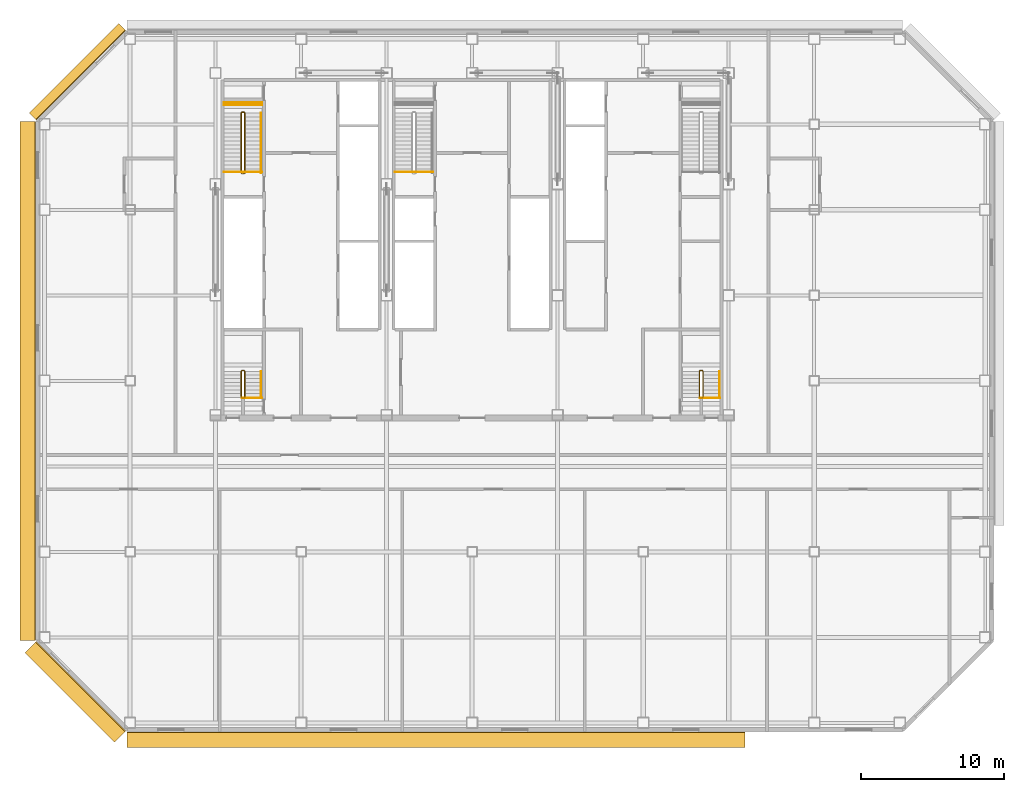
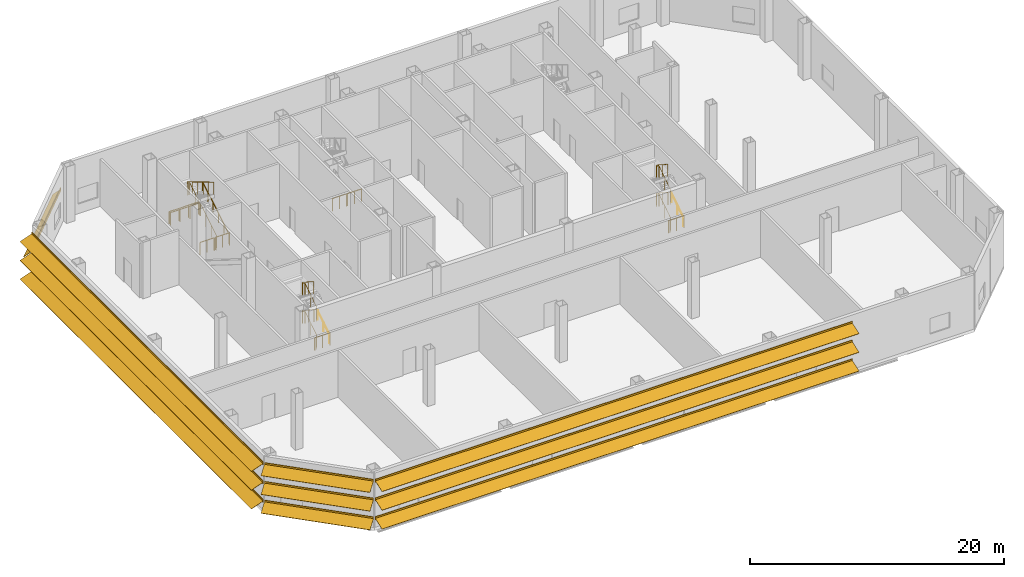
# One storey, part 9 of 10: 16 railings, 4 shading devices.
"""IFC4 building model written with IfcOpenShell, lengths in metres."""

from ifc_helpers import new_model, si_unit, direction, frame, origin, origin_2d, place, context, subcontext, project, spatial, polyline, circle, outline, composite_profile, extrude, material, type_object, element, save


model = new_model("IFC4")

# Units and contexts
model_context = context("Model", 3, precision=1e-05, world=origin(), true_north=direction((0.0, 1.0)))
body_context = subcontext(model_context, "Body", "Model", "MODEL_VIEW")
ifc_project = project(units=[si_unit("LENGTHUNIT", "METRE"), si_unit("AREAUNIT", "SQUARE_METRE"), si_unit("VOLUMEUNIT", "CUBIC_METRE"), si_unit("PLANEANGLEUNIT", "RADIAN"), si_unit("MASSUNIT", "GRAM", prefix="KILO")], contexts=[model_context])

# Site, building, storey
site_placement = place(None, origin())
site = spatial("IfcSite", under=ifc_project, at=site_placement, CompositionType="ELEMENT")
building_placement = place(site_placement, origin())
building = spatial("IfcBuilding", under=site, at=building_placement, Name="Sorahane Residences", CompositionType="ELEMENT")
storey_placement = place(building_placement, frame((0.0, 0.0, 138.39990234375)))
storey = spatial("IfcBuildingStorey", under=building, at=storey_placement, Name="L31", CompositionType="ELEMENT", Elevation=138.39990234375)

# Shading devices
ifc_material_1 = material(Name="Terracotta anodised aluminium", Category="masonry")
shading_device_type_1 = type_object("IfcShadingDeviceType", Name="Louvre sunshade blade NW terracotta aluminium 700", PredefinedType="JALOUSIE", material=ifc_material_1)
shading_device_1_placement = place(storey_placement, frame((-0.283935546875, 48.564697265625, 2.7001953125), z_axis=(-0.707106781187, -0.707106781187, 0.0), x_axis=(0.707106781187, -0.707106781187, 0.0)))
element("IfcShadingDevice", 1, at=shading_device_1_placement, inside=storey, type_object=shading_device_type_1, Name="Louvre sunshade blade bank NW L31 NW1", PredefinedType="JALOUSIE", context=body_context, shape_type="SweptSolid", body=[
    extrude(outline(polyline([(-0.719970703125, -0.660888671875), (-0.719970703125, -0.69091796875), (-0.080078125, -0.072998046875), (-0.080078125, -0.14990234375), (-0.02001953125, -0.14990234375), (-0.02001953125, -0.014892578125), (-0.02001953125, 0.014892578125), (-0.02001953125, 0.14990234375), (-0.080078125, 0.14990234375), (-0.080078125, -0.04296875), (-0.719970703125, -0.660888671875)])), origin(), (0.0, 0.0, 1.0), 8.88232421875),
])
ifc_material_2 = material(Name="Terracotta anodised aluminium", Category="masonry")
shading_device_type_2 = type_object("IfcShadingDeviceType", Name="Louvre sunshade blade S terracotta aluminium 1100", PredefinedType="JALOUSIE", material=ifc_material_2)
shading_device_2_placement = place(storey_placement, frame((-0.198486328125, -0.60009765625, 0.900146484375), z_axis=(1.0, 0.0, 0.0), x_axis=(0.0, 1.0, 0.0)))
element("IfcShadingDevice", 2, at=shading_device_2_placement, inside=storey, type_object=shading_device_type_2, Name="Louvre sunshade blade bank S L31 S1", PredefinedType="JALOUSIE", context=body_context, shape_type="SweptSolid", body=[
    extrude(composite_profile([outline(polyline([(-1.1201171875, -0.385498046875), (-1.1201171875, -0.415283203125), (-0.080078125, -0.036865234375), (-0.080078125, -0.14990234375), (-0.02001953125, -0.14990234375), (-0.02001953125, -0.014892578125), (-0.02001953125, 0.014892578125), (-0.02001953125, 0.14990234375), (-0.080078125, 0.14990234375), (-0.080078125, -0.0068359375), (-1.1201171875, -0.385498046875)])), outline(polyline([(-1.1201171875, 1.41455078125), (-1.1201171875, 1.384521484375), (-0.080078125, 1.76318359375), (-0.080078125, 1.64990234375), (-0.02001953125, 1.64990234375), (-0.02001953125, 1.784912109375), (-0.02001953125, 1.81494140625), (-0.02001953125, 1.949951171875), (-0.080078125, 1.949951171875), (-0.080078125, 1.793212890625), (-1.1201171875, 1.41455078125)])), outline(polyline([(-1.1201171875, 3.214599609375), (-1.1201171875, 3.1845703125), (-0.080078125, 3.563232421875), (-0.080078125, 3.449951171875), (-0.02001953125, 3.449951171875), (-0.02001953125, 3.5849609375), (-0.02001953125, 3.614990234375), (-0.02001953125, 3.75), (-0.080078125, 3.75), (-0.080078125, 3.59326171875), (-1.1201171875, 3.214599609375)]))]), origin(), (0.0, 0.0, 1.0), 43.3291015625),
])
ifc_material_3 = material(Name="Terracotta anodised aluminium", Category="masonry")
shading_device_type_3 = type_object("IfcShadingDeviceType", Name="Louvre sunshade blade SW terracotta aluminium 1100", PredefinedType="JALOUSIE", material=ifc_material_3)
shading_device_3_placement = place(storey_placement, frame((-6.564697265625, 5.716064453125, 0.900146484375), z_axis=(0.707106781187, -0.707106781187, 0.0), x_axis=(0.707106781187, 0.707106781187, 0.0)))
element("IfcShadingDevice", 3, at=shading_device_3_placement, inside=storey, type_object=shading_device_type_3, Name="Louvre sunshade blade bank SW L31 SW1", PredefinedType="JALOUSIE", context=body_context, shape_type="SweptSolid", body=[
    extrude(composite_profile([outline(polyline([(-1.1201171875, -0.385498046875), (-1.1201171875, -0.415283203125), (-0.080078125, -0.036865234375), (-0.080078125, -0.14990234375), (-0.02001953125, -0.14990234375), (-0.02001953125, -0.014892578125), (-0.02001953125, 0.014892578125), (-0.02001953125, 0.14990234375), (-0.080078125, 0.14990234375), (-0.080078125, -0.0068359375), (-1.1201171875, -0.385498046875)])), outline(polyline([(-1.1201171875, 1.41455078125), (-1.1201171875, 1.384521484375), (-0.080078125, 1.76318359375), (-0.080078125, 1.64990234375), (-0.02001953125, 1.64990234375), (-0.02001953125, 1.784912109375), (-0.02001953125, 1.81494140625), (-0.02001953125, 1.949951171875), (-0.080078125, 1.949951171875), (-0.080078125, 1.793212890625), (-1.1201171875, 1.41455078125)])), outline(polyline([(-1.1201171875, 3.214599609375), (-1.1201171875, 3.1845703125), (-0.080078125, 3.563232421875), (-0.080078125, 3.449951171875), (-0.02001953125, 3.449951171875), (-0.02001953125, 3.5849609375), (-0.02001953125, 3.614990234375), (-0.02001953125, 3.75), (-0.080078125, 3.75), (-0.080078125, 3.59326171875), (-1.1201171875, 3.214599609375)]))]), origin(), (0.0, 0.0, 1.0), 8.88232421875),
])
ifc_material_4 = material(Name="Terracotta anodised aluminium", Category="masonry")
shading_device_type_4 = type_object("IfcShadingDeviceType", Name="Louvre sunshade blade W terracotta aluminium 1100", PredefinedType="JALOUSIE", material=ifc_material_4)
shading_device_4_placement = place(storey_placement, frame((-6.60009765625, 42.198486328125, 0.900146484375), z_axis=(0.0, -1.0, 0.0), x_axis=(1.0, 0.0, 0.0)))
element("IfcShadingDevice", 4, at=shading_device_4_placement, inside=storey, type_object=shading_device_type_4, Name="Louvre sunshade blade bank W L31 W1", PredefinedType="JALOUSIE", context=body_context, shape_type="SweptSolid", body=[
    extrude(composite_profile([outline(polyline([(-1.1201171875, -0.385498046875), (-1.1201171875, -0.415283203125), (-0.080078125, -0.036865234375), (-0.080078125, -0.14990234375), (-0.02001953125, -0.14990234375), (-0.02001953125, -0.014892578125), (-0.02001953125, 0.014892578125), (-0.02001953125, 0.14990234375), (-0.080078125, 0.14990234375), (-0.080078125, -0.0068359375), (-1.1201171875, -0.385498046875)])), outline(polyline([(-1.1201171875, 1.41455078125), (-1.1201171875, 1.384521484375), (-0.080078125, 1.76318359375), (-0.080078125, 1.64990234375), (-0.02001953125, 1.64990234375), (-0.02001953125, 1.784912109375), (-0.02001953125, 1.81494140625), (-0.02001953125, 1.949951171875), (-0.080078125, 1.949951171875), (-0.080078125, 1.793212890625), (-1.1201171875, 1.41455078125)])), outline(polyline([(-1.1201171875, 3.214599609375), (-1.1201171875, 3.1845703125), (-0.080078125, 3.563232421875), (-0.080078125, 3.449951171875), (-0.02001953125, 3.449951171875), (-0.02001953125, 3.5849609375), (-0.02001953125, 3.614990234375), (-0.02001953125, 3.75), (-0.080078125, 3.75), (-0.080078125, 3.59326171875), (-1.1201171875, 3.214599609375)]))]), origin(), (0.0, 0.0, 1.0), 36.39697265625),
])

# Railings
ifc_material_5 = material(Name="Steel Q355B", Category="steel")
railing_type_1 = type_object("IfcRailingType", Name="Stair guard 1200 Steel Q355B", PredefinedType="GUARDRAIL", material=ifc_material_5)
railing_1_placement = place(storey_placement, frame((6.60009765625, 43.52490234375, 0.0)))
element("IfcRailing", 5, at=railing_1_placement, inside=storey, type_object=railing_type_1, Name="L31 S1 top well guard 1", PredefinedType="GUARDRAIL", context=body_context, shape_type="SweptSolid", body=[
    extrude(circle(Radius=0.02392578125, at=origin_2d()), frame((0.0, 0.0, 1.17578125), z_axis=(1.0, 0.0, 0.0), x_axis=(0.0, 1.0, 0.0)), (0.0, 0.0, 1.0), 2.64990234375),
    extrude(circle(Radius=0.02099609375, at=origin_2d()), origin(), (0.0, 0.0, 1.0), 1.15185546875),
    extrude(circle(Radius=0.02099609375, at=origin_2d()), frame((0.88330078125, 0.0, 0.0)), (0.0, 0.0, 1.0), 1.15185546875),
    extrude(circle(Radius=0.02099609375, at=origin_2d()), frame((1.7666015625, 0.0, 0.0)), (0.0, 0.0, 1.0), 1.15185546875),
    extrude(circle(Radius=0.02099609375, at=origin_2d()), frame((2.64990234375, 0.0, 0.0)), (0.0, 0.0, 1.0), 1.15185546875),
])
for number, where, name in (
    (6, (6.60009765625, 38.64990234375, 0.0), "L31 Stair S1 edge guard"),
    (7, (7.983154296875, 38.64990234375, 0.0), "L31 Stair S1 edge guard"),
):
    element("IfcRailing", number, at=place(storey_placement, frame(where)), inside=storey, type_object=railing_type_1, Name=name, PredefinedType="GUARDRAIL", context=body_context, shape_type="SweptSolid", body=[
        extrude(circle(Radius=0.02392578125, at=origin_2d()), frame((0.0, 0.0, 1.17578125), z_axis=(1.0, 0.0, 0.0), x_axis=(0.0, 1.0, 0.0)), (0.0, 0.0, 1.0), 1.266845703125),
        extrude(circle(Radius=0.02099609375, at=origin_2d()), origin(), (0.0, 0.0, 1.0), 1.15185546875),
        extrude(circle(Radius=0.02099609375, at=origin_2d()), frame((0.63330078125, 0.0, 0.0)), (0.0, 0.0, 1.0), 1.15185546875),
        extrude(circle(Radius=0.02099609375, at=origin_2d()), frame((1.266845703125, 0.0, 0.0)), (0.0, 0.0, 1.0), 1.15185546875),
    ])
railing_2_placement = place(storey_placement, frame((6.60009765625, 43.35009765625, 0.0)))
element("IfcRailing", 8, at=railing_2_placement, inside=storey, type_object=railing_type_1, Name="L31 Stair S1 edge guard", PredefinedType="GUARDRAIL", context=body_context, shape_type="SweptSolid", body=[
    extrude(circle(Radius=0.02392578125, at=origin_2d()), frame((0.0, 0.0, 1.17578125), z_axis=(1.0, 0.0, 0.0), x_axis=(0.0, 1.0, 0.0)), (0.0, 0.0, 1.0), 2.64990234375),
    extrude(circle(Radius=0.02099609375, at=origin_2d()), origin(), (0.0, 0.0, 1.0), 1.15185546875),
    extrude(circle(Radius=0.02099609375, at=origin_2d()), frame((0.88330078125, 0.0, 0.0)), (0.0, 0.0, 1.0), 1.15185546875),
    extrude(circle(Radius=0.02099609375, at=origin_2d()), frame((1.7666015625, 0.0, 0.0)), (0.0, 0.0, 1.0), 1.15185546875),
    extrude(circle(Radius=0.02099609375, at=origin_2d()), frame((2.64990234375, 0.0, 0.0)), (0.0, 0.0, 1.0), 1.15185546875),
])
railing_3_placement = place(storey_placement, frame((7.85009765625, 38.550048828125, 0.0)))
element("IfcRailing", 9, at=railing_3_placement, inside=storey, type_object=railing_type_1, Name="L31 S1 stair guard 1", PredefinedType="GUARDRAIL", context=body_context, shape_type="SweptSolid", body=[
    extrude(circle(Radius=0.02392578125, at=origin_2d()), frame((0.0, 0.0, 1.17578125), z_axis=(1.0, 0.0, 0.0), x_axis=(0.0, 1.0, 0.0)), (0.0, 0.0, 1.0), 0.14990234375),
    extrude(circle(Radius=0.02392578125, at=origin_2d()), frame((0.14990234375, 0.0, 1.17578125), z_axis=(0.273232802156, 0.273232802156, 0.922327312645), x_axis=(-0.707106781187, 0.707106781187, 0.0)), (0.0, 0.0, 1.0), 0.18310546875),
    extrude(circle(Radius=0.02392578125, at=origin_2d()), frame((0.199951171875, 0.050048828125, 1.3447265625), z_axis=(0.0, 0.856476492594, 0.516186030065), x_axis=(-1.0, 0.0, 0.0)), (0.0, 0.0, 1.0), 4.90380859375),
    extrude(circle(Radius=0.02392578125, at=origin_2d()), frame((0.199951171875, 4.25, 3.8759765625), z_axis=(-0.707106781187, 0.707106781187, 0.0), x_axis=(-0.707106781187, -0.707106781187, 0.0)), (0.0, 0.0, 1.0), 0.07080078125),
    extrude(circle(Radius=0.02392578125, at=origin_2d()), frame((0.14990234375, 4.300048828125, 3.8759765625), z_axis=(-1.0, 0.0, 0.0), x_axis=(0.0, -1.0, 0.0)), (0.0, 0.0, 1.0), 0.14990234375),
    extrude(circle(Radius=0.02392578125, at=origin_2d()), frame((0.0, 4.300048828125, 3.8759765625), z_axis=(-0.273569069059, -0.273569069059, 0.922127935218), x_axis=(0.707106781187, -0.707106781187, 0.0)), (0.0, 0.0, 1.0), 0.182861328125),
    extrude(circle(Radius=0.02392578125, at=origin_2d()), frame((-0.050048828125, 4.25, 4.044921875), z_axis=(0.0, -0.856476492594, 0.516186030065), x_axis=(1.0, 0.0, 0.0)), (0.0, 0.0, 1.0), 4.90380859375),
    extrude(circle(Radius=0.02099609375, at=origin_2d()), origin(), (0.0, 0.0, 1.0), 1.15185546875),
    extrude(circle(Radius=0.02099609375, at=origin_2d()), frame((0.14990234375, 0.0, 0.0)), (0.0, 0.0, 1.0), 1.15185546875),
    extrude(circle(Radius=0.02099609375, at=origin_2d()), frame((0.199951171875, 0.050048828125, 0.1689453125)), (0.0, 0.0, 1.0), 1.15185546875),
    extrude(circle(Radius=0.02099609375, at=origin_2d()), frame((0.199951171875, 0.89013671875, 0.67529296875)), (0.0, 0.0, 1.0), 1.15185546875),
    extrude(circle(Radius=0.02099609375, at=origin_2d()), frame((0.199951171875, 1.72998046875, 1.181396484375)), (0.0, 0.0, 1.0), 1.15185546875),
    extrude(circle(Radius=0.02099609375, at=origin_2d()), frame((0.199951171875, 2.570068359375, 1.687744140625)), (0.0, 0.0, 1.0), 1.15185546875),
    extrude(circle(Radius=0.02099609375, at=origin_2d()), frame((0.199951171875, 3.409912109375, 2.19384765625)), (0.0, 0.0, 1.0), 1.15185546875),
    extrude(circle(Radius=0.02099609375, at=origin_2d()), frame((0.199951171875, 4.25, 2.7001953125)), (0.0, 0.0, 1.0), 1.15185546875),
    extrude(circle(Radius=0.02099609375, at=origin_2d()), frame((0.14990234375, 4.300048828125, 2.7001953125)), (0.0, 0.0, 1.0), 1.15185546875),
    extrude(circle(Radius=0.02099609375, at=origin_2d()), frame((0.0, 4.300048828125, 2.7001953125)), (0.0, 0.0, 1.0), 1.15185546875),
    extrude(circle(Radius=0.02099609375, at=origin_2d()), frame((-0.050048828125, 4.25, 2.868896484375)), (0.0, 0.0, 1.0), 1.15185546875),
    extrude(circle(Radius=0.02099609375, at=origin_2d()), frame((-0.050048828125, 3.409912109375, 3.375244140625)), (0.0, 0.0, 1.0), 1.15185546875),
    extrude(circle(Radius=0.02099609375, at=origin_2d()), frame((-0.050048828125, 2.570068359375, 3.88134765625)), (0.0, 0.0, 1.0), 1.15185546875),
    extrude(circle(Radius=0.02099609375, at=origin_2d()), frame((-0.050048828125, 1.72998046875, 4.3876953125)), (0.0, 0.0, 1.0), 1.15185546875),
    extrude(circle(Radius=0.02099609375, at=origin_2d()), frame((-0.050048828125, 0.89013671875, 4.893798828125)), (0.0, 0.0, 1.0), 1.15185546875),
    extrude(circle(Radius=0.02099609375, at=origin_2d()), frame((-0.050048828125, 0.050048828125, 5.400146484375)), (0.0, 0.0, 1.0), 1.15185546875),
])
for number, where, name in (
    (10, (18.60009765625, 38.64990234375, 0.0), "L31 Stair S3 edge guard"),
    (11, (19.983154296875, 38.64990234375, 0.0), "L31 Stair S3 edge guard"),
):
    element("IfcRailing", number, at=place(storey_placement, frame(where)), inside=storey, type_object=railing_type_1, Name=name, PredefinedType="GUARDRAIL", context=body_context, shape_type="SweptSolid", body=[
        extrude(circle(Radius=0.02392578125, at=origin_2d()), frame((0.0, 0.0, 1.17578125), z_axis=(1.0, 0.0, 0.0), x_axis=(0.0, 1.0, 0.0)), (0.0, 0.0, 1.0), 1.266845703125),
        extrude(circle(Radius=0.02099609375, at=origin_2d()), origin(), (0.0, 0.0, 1.0), 1.15185546875),
        extrude(circle(Radius=0.02099609375, at=origin_2d()), frame((0.63330078125, 0.0, 0.0)), (0.0, 0.0, 1.0), 1.15185546875),
        extrude(circle(Radius=0.02099609375, at=origin_2d()), frame((1.266845703125, 0.0, 0.0)), (0.0, 0.0, 1.0), 1.15185546875),
    ])
railing_4_placement = place(storey_placement, frame((9.25, 22.800048828125, 0.0)))
element("IfcRailing", 12, at=railing_4_placement, inside=storey, type_object=railing_type_1, Name="L31 S4 top well guard 1", PredefinedType="GUARDRAIL", context=body_context, shape_type="SweptSolid", body=[
    extrude(circle(Radius=0.02392578125, at=origin_2d()), frame((0.0, 0.0, 1.17578125), z_axis=(-1.0, 0.0, 0.0), x_axis=(0.0, -1.0, 0.0)), (0.0, 0.0, 1.0), 1.39990234375),
    extrude(circle(Radius=0.02099609375, at=origin_2d()), origin(), (0.0, 0.0, 1.0), 1.15185546875),
    extrude(circle(Radius=0.02099609375, at=origin_2d()), frame((-0.699951171875, 0.0, 0.0)), (0.0, 0.0, 1.0), 1.15185546875),
    extrude(circle(Radius=0.02099609375, at=origin_2d()), frame((-1.39990234375, 0.0, 0.0)), (0.0, 0.0, 1.0), 1.15185546875),
])
railing_5_placement = place(storey_placement, frame((7.85009765625, 22.800048828125, 0.0)))
element("IfcRailing", 13, at=railing_5_placement, inside=storey, type_object=railing_type_1, Name="L31 S4 stair guard 1", PredefinedType="GUARDRAIL", context=body_context, shape_type="SweptSolid", body=[
    extrude(circle(Radius=0.02392578125, at=origin_2d()), frame((0.0, 0.0, 1.17578125), z_axis=(1.0, 0.0, 0.0), x_axis=(0.0, 1.0, 0.0)), (0.0, 0.0, 1.0), 0.14990234375),
    extrude(circle(Radius=0.02392578125, at=origin_2d()), frame((0.14990234375, 0.0, 1.17578125), z_axis=(0.273232802156, 0.273232802156, 0.922327312645), x_axis=(-0.707106781187, 0.707106781187, 0.0)), (0.0, 0.0, 1.0), 0.18310546875),
    extrude(circle(Radius=0.02392578125, at=origin_2d()), frame((0.199951171875, 0.050048828125, 1.3447265625), z_axis=(0.0, 0.838808512231, 0.544426560528), x_axis=(-1.0, 0.0, 0.0)), (0.0, 0.0, 1.0), 2.16943359375),
    extrude(circle(Radius=0.02392578125, at=origin_2d()), frame((0.199951171875, 1.869873046875, 2.52587890625), z_axis=(-0.707106781187, 0.707106781187, 0.0), x_axis=(-0.707106781187, -0.707106781187, 0.0)), (0.0, 0.0, 1.0), 0.07080078125),
    extrude(circle(Radius=0.02392578125, at=origin_2d()), frame((0.14990234375, 1.919921875, 2.52587890625), z_axis=(-1.0, 0.0, 0.0), x_axis=(0.0, -1.0, 0.0)), (0.0, 0.0, 1.0), 0.14990234375),
    extrude(circle(Radius=0.02392578125, at=origin_2d()), frame((0.0, 1.919921875, 2.52587890625), z_axis=(-0.273569069059, -0.273569069059, 0.922127935218), x_axis=(0.707106781187, -0.707106781187, 0.0)), (0.0, 0.0, 1.0), 0.182861328125),
    extrude(circle(Radius=0.02392578125, at=origin_2d()), frame((-0.050048828125, 1.869873046875, 2.69482421875), z_axis=(0.0, -0.838757122003, 0.544505730262), x_axis=(1.0, 0.0, 0.0)), (0.0, 0.0, 1.0), 2.169677734375),
    extrude(circle(Radius=0.02099609375, at=origin_2d()), origin(), (0.0, 0.0, 1.0), 1.15185546875),
    extrude(circle(Radius=0.02099609375, at=origin_2d()), frame((0.14990234375, 0.0, 0.0)), (0.0, 0.0, 1.0), 1.15185546875),
    extrude(circle(Radius=0.02099609375, at=origin_2d()), frame((0.199951171875, 0.050048828125, 0.1689453125)), (0.0, 0.0, 1.0), 1.15185546875),
    extrude(circle(Radius=0.02099609375, at=origin_2d()), frame((0.199951171875, 0.9599609375, 0.759521484375)), (0.0, 0.0, 1.0), 1.15185546875),
    extrude(circle(Radius=0.02099609375, at=origin_2d()), frame((0.199951171875, 1.869873046875, 1.35009765625)), (0.0, 0.0, 1.0), 1.15185546875),
    extrude(circle(Radius=0.02099609375, at=origin_2d()), frame((0.14990234375, 1.919921875, 1.35009765625)), (0.0, 0.0, 1.0), 1.15185546875),
    extrude(circle(Radius=0.02099609375, at=origin_2d()), frame((0.0, 1.919921875, 1.35009765625)), (0.0, 0.0, 1.0), 1.15185546875),
    extrude(circle(Radius=0.02099609375, at=origin_2d()), frame((-0.050048828125, 1.869873046875, 1.518798828125)), (0.0, 0.0, 1.0), 1.15185546875),
    extrude(circle(Radius=0.02099609375, at=origin_2d()), frame((-0.050048828125, 0.9599609375, 2.109375)), (0.0, 0.0, 1.0), 1.15185546875),
    extrude(circle(Radius=0.02099609375, at=origin_2d()), frame((-0.050048828125, 0.050048828125, 2.7001953125)), (0.0, 0.0, 1.0), 1.15185546875),
])
railing_6_placement = place(storey_placement, frame((7.85009765625, 22.800048828125, 2.7001953125)))
element("IfcRailing", 14, at=railing_6_placement, inside=storey, type_object=railing_type_1, Name="L31 S4 stair guard 2", PredefinedType="GUARDRAIL", context=body_context, shape_type="SweptSolid", body=[
    extrude(circle(Radius=0.02392578125, at=origin_2d()), frame((0.0, 0.0, 1.17578125), z_axis=(1.0, 0.0, 0.0), x_axis=(0.0, 1.0, 0.0)), (0.0, 0.0, 1.0), 0.14990234375),
    extrude(circle(Radius=0.02392578125, at=origin_2d()), frame((0.14990234375, 0.0, 1.17578125), z_axis=(0.273569069059, 0.273569069059, 0.922127935218), x_axis=(-0.707106781187, 0.707106781187, 0.0)), (0.0, 0.0, 1.0), 0.182861328125),
    extrude(circle(Radius=0.02392578125, at=origin_2d()), frame((0.199951171875, 0.050048828125, 1.3447265625), z_axis=(0.0, 0.838808512231, 0.544426560528), x_axis=(-1.0, 0.0, 0.0)), (0.0, 0.0, 1.0), 2.16943359375),
    extrude(circle(Radius=0.02392578125, at=origin_2d()), frame((0.199951171875, 1.869873046875, 2.52587890625), z_axis=(-0.707106781187, 0.707106781187, 0.0), x_axis=(-0.707106781187, -0.707106781187, 0.0)), (0.0, 0.0, 1.0), 0.07080078125),
    extrude(circle(Radius=0.02392578125, at=origin_2d()), frame((0.14990234375, 1.919921875, 2.52587890625), z_axis=(-1.0, 0.0, 0.0), x_axis=(0.0, -1.0, 0.0)), (0.0, 0.0, 1.0), 0.14990234375),
    extrude(circle(Radius=0.02392578125, at=origin_2d()), frame((0.0, 1.919921875, 2.52587890625), z_axis=(-0.273569069059, -0.273569069059, 0.922127935218), x_axis=(0.707106781187, -0.707106781187, 0.0)), (0.0, 0.0, 1.0), 0.182861328125),
    extrude(circle(Radius=0.02392578125, at=origin_2d()), frame((-0.050048828125, 1.869873046875, 2.6943359375), z_axis=(0.0, -0.838757122003, 0.544505730262), x_axis=(1.0, 0.0, 0.0)), (0.0, 0.0, 1.0), 2.169677734375),
    extrude(circle(Radius=0.02099609375, at=origin_2d()), origin(), (0.0, 0.0, 1.0), 1.15185546875),
    extrude(circle(Radius=0.02099609375, at=origin_2d()), frame((0.14990234375, 0.0, 0.0)), (0.0, 0.0, 1.0), 1.15185546875),
    extrude(circle(Radius=0.02099609375, at=origin_2d()), frame((0.199951171875, 0.050048828125, 0.168701171875)), (0.0, 0.0, 1.0), 1.15185546875),
    extrude(circle(Radius=0.02099609375, at=origin_2d()), frame((0.199951171875, 0.9599609375, 0.75927734375)), (0.0, 0.0, 1.0), 1.15185546875),
    extrude(circle(Radius=0.02099609375, at=origin_2d()), frame((0.199951171875, 1.869873046875, 1.349853515625)), (0.0, 0.0, 1.0), 1.15185546875),
    extrude(circle(Radius=0.02099609375, at=origin_2d()), frame((0.14990234375, 1.919921875, 1.349853515625)), (0.0, 0.0, 1.0), 1.15185546875),
    extrude(circle(Radius=0.02099609375, at=origin_2d()), frame((0.0, 1.919921875, 1.349853515625)), (0.0, 0.0, 1.0), 1.15185546875),
    extrude(circle(Radius=0.02099609375, at=origin_2d()), frame((-0.050048828125, 1.869873046875, 1.5185546875)), (0.0, 0.0, 1.0), 1.15185546875),
    extrude(circle(Radius=0.02099609375, at=origin_2d()), frame((-0.050048828125, 0.9599609375, 2.109375)), (0.0, 0.0, 1.0), 1.15185546875),
    extrude(circle(Radius=0.02099609375, at=origin_2d()), frame((-0.050048828125, 0.050048828125, 2.699951171875)), (0.0, 0.0, 1.0), 1.15185546875),
])
railing_7_placement = place(storey_placement, frame((41.39990234375, 22.800048828125, 0.0)))
element("IfcRailing", 15, at=railing_7_placement, inside=storey, type_object=railing_type_1, Name="L31 S5 top well guard 1", PredefinedType="GUARDRAIL", context=body_context, shape_type="SweptSolid", body=[
    extrude(circle(Radius=0.02392578125, at=origin_2d()), frame((0.0, 0.0, 1.17578125), z_axis=(-1.0, 0.0, 0.0), x_axis=(0.0, -1.0, 0.0)), (0.0, 0.0, 1.0), 1.39990234375),
    extrude(circle(Radius=0.02099609375, at=origin_2d()), origin(), (0.0, 0.0, 1.0), 1.15185546875),
    extrude(circle(Radius=0.02099609375, at=origin_2d()), frame((-0.699951171875, 0.0, 0.0)), (0.0, 0.0, 1.0), 1.15185546875),
    extrude(circle(Radius=0.02099609375, at=origin_2d()), frame((-1.39990234375, 0.0, 0.0)), (0.0, 0.0, 1.0), 1.15185546875),
])
railing_8_placement = place(storey_placement, frame((40.0, 22.800048828125, 0.0)))
element("IfcRailing", 16, at=railing_8_placement, inside=storey, type_object=railing_type_1, Name="L31 S5 stair guard 1", PredefinedType="GUARDRAIL", context=body_context, shape_type="SweptSolid", body=[
    extrude(circle(Radius=0.02392578125, at=origin_2d()), frame((0.0, 0.0, 1.17578125), z_axis=(1.0, 0.0, 0.0), x_axis=(0.0, 1.0, 0.0)), (0.0, 0.0, 1.0), 0.14990234375),
    extrude(circle(Radius=0.02392578125, at=origin_2d()), frame((0.14990234375, 0.0, 1.17578125), z_axis=(0.273232802156, 0.273232802156, 0.922327312645), x_axis=(-0.707106781187, 0.707106781187, 0.0)), (0.0, 0.0, 1.0), 0.18310546875),
    extrude(circle(Radius=0.02392578125, at=origin_2d()), frame((0.199951171875, 0.050048828125, 1.3447265625), z_axis=(0.0, 0.838808512231, 0.544426560528), x_axis=(-1.0, 0.0, 0.0)), (0.0, 0.0, 1.0), 2.16943359375),
    extrude(circle(Radius=0.02392578125, at=origin_2d()), frame((0.199951171875, 1.869873046875, 2.52587890625), z_axis=(-0.707106781187, 0.707106781187, 0.0), x_axis=(-0.707106781187, -0.707106781187, 0.0)), (0.0, 0.0, 1.0), 0.07080078125),
    extrude(circle(Radius=0.02392578125, at=origin_2d()), frame((0.14990234375, 1.919921875, 2.52587890625), z_axis=(-1.0, 0.0, 0.0), x_axis=(0.0, -1.0, 0.0)), (0.0, 0.0, 1.0), 0.14990234375),
    extrude(circle(Radius=0.02392578125, at=origin_2d()), frame((0.0, 1.919921875, 2.52587890625), z_axis=(-0.273569069059, -0.273569069059, 0.922127935218), x_axis=(0.707106781187, -0.707106781187, 0.0)), (0.0, 0.0, 1.0), 0.182861328125),
    extrude(circle(Radius=0.02392578125, at=origin_2d()), frame((-0.050048828125, 1.869873046875, 2.69482421875), z_axis=(0.0, -0.838757122003, 0.544505730262), x_axis=(1.0, 0.0, 0.0)), (0.0, 0.0, 1.0), 2.169677734375),
    extrude(circle(Radius=0.02099609375, at=origin_2d()), origin(), (0.0, 0.0, 1.0), 1.15185546875),
    extrude(circle(Radius=0.02099609375, at=origin_2d()), frame((0.14990234375, 0.0, 0.0)), (0.0, 0.0, 1.0), 1.15185546875),
    extrude(circle(Radius=0.02099609375, at=origin_2d()), frame((0.199951171875, 0.050048828125, 0.1689453125)), (0.0, 0.0, 1.0), 1.15185546875),
    extrude(circle(Radius=0.02099609375, at=origin_2d()), frame((0.199951171875, 0.9599609375, 0.759521484375)), (0.0, 0.0, 1.0), 1.15185546875),
    extrude(circle(Radius=0.02099609375, at=origin_2d()), frame((0.199951171875, 1.869873046875, 1.35009765625)), (0.0, 0.0, 1.0), 1.15185546875),
    extrude(circle(Radius=0.02099609375, at=origin_2d()), frame((0.14990234375, 1.919921875, 1.35009765625)), (0.0, 0.0, 1.0), 1.15185546875),
    extrude(circle(Radius=0.02099609375, at=origin_2d()), frame((0.0, 1.919921875, 1.35009765625)), (0.0, 0.0, 1.0), 1.15185546875),
    extrude(circle(Radius=0.02099609375, at=origin_2d()), frame((-0.050048828125, 1.869873046875, 1.518798828125)), (0.0, 0.0, 1.0), 1.15185546875),
    extrude(circle(Radius=0.02099609375, at=origin_2d()), frame((-0.050048828125, 0.9599609375, 2.109375)), (0.0, 0.0, 1.0), 1.15185546875),
    extrude(circle(Radius=0.02099609375, at=origin_2d()), frame((-0.050048828125, 0.050048828125, 2.7001953125)), (0.0, 0.0, 1.0), 1.15185546875),
])
railing_9_placement = place(storey_placement, frame((40.0, 22.800048828125, 2.7001953125)))
element("IfcRailing", 17, at=railing_9_placement, inside=storey, type_object=railing_type_1, Name="L31 S5 stair guard 2", PredefinedType="GUARDRAIL", context=body_context, shape_type="SweptSolid", body=[
    extrude(circle(Radius=0.02392578125, at=origin_2d()), frame((0.0, 0.0, 1.17578125), z_axis=(1.0, 0.0, 0.0), x_axis=(0.0, 1.0, 0.0)), (0.0, 0.0, 1.0), 0.14990234375),
    extrude(circle(Radius=0.02392578125, at=origin_2d()), frame((0.14990234375, 0.0, 1.17578125), z_axis=(0.273569069059, 0.273569069059, 0.922127935218), x_axis=(-0.707106781187, 0.707106781187, 0.0)), (0.0, 0.0, 1.0), 0.182861328125),
    extrude(circle(Radius=0.02392578125, at=origin_2d()), frame((0.199951171875, 0.050048828125, 1.3447265625), z_axis=(0.0, 0.838808512231, 0.544426560528), x_axis=(-1.0, 0.0, 0.0)), (0.0, 0.0, 1.0), 2.16943359375),
    extrude(circle(Radius=0.02392578125, at=origin_2d()), frame((0.199951171875, 1.869873046875, 2.52587890625), z_axis=(-0.707106781187, 0.707106781187, 0.0), x_axis=(-0.707106781187, -0.707106781187, 0.0)), (0.0, 0.0, 1.0), 0.07080078125),
    extrude(circle(Radius=0.02392578125, at=origin_2d()), frame((0.14990234375, 1.919921875, 2.52587890625), z_axis=(-1.0, 0.0, 0.0), x_axis=(0.0, -1.0, 0.0)), (0.0, 0.0, 1.0), 0.14990234375),
    extrude(circle(Radius=0.02392578125, at=origin_2d()), frame((0.0, 1.919921875, 2.52587890625), z_axis=(-0.273569069059, -0.273569069059, 0.922127935218), x_axis=(0.707106781187, -0.707106781187, 0.0)), (0.0, 0.0, 1.0), 0.182861328125),
    extrude(circle(Radius=0.02392578125, at=origin_2d()), frame((-0.050048828125, 1.869873046875, 2.6943359375), z_axis=(0.0, -0.838757122003, 0.544505730262), x_axis=(1.0, 0.0, 0.0)), (0.0, 0.0, 1.0), 2.169677734375),
    extrude(circle(Radius=0.02099609375, at=origin_2d()), origin(), (0.0, 0.0, 1.0), 1.15185546875),
    extrude(circle(Radius=0.02099609375, at=origin_2d()), frame((0.14990234375, 0.0, 0.0)), (0.0, 0.0, 1.0), 1.15185546875),
    extrude(circle(Radius=0.02099609375, at=origin_2d()), frame((0.199951171875, 0.050048828125, 0.168701171875)), (0.0, 0.0, 1.0), 1.15185546875),
    extrude(circle(Radius=0.02099609375, at=origin_2d()), frame((0.199951171875, 0.9599609375, 0.75927734375)), (0.0, 0.0, 1.0), 1.15185546875),
    extrude(circle(Radius=0.02099609375, at=origin_2d()), frame((0.199951171875, 1.869873046875, 1.349853515625)), (0.0, 0.0, 1.0), 1.15185546875),
    extrude(circle(Radius=0.02099609375, at=origin_2d()), frame((0.14990234375, 1.919921875, 1.349853515625)), (0.0, 0.0, 1.0), 1.15185546875),
    extrude(circle(Radius=0.02099609375, at=origin_2d()), frame((0.0, 1.919921875, 1.349853515625)), (0.0, 0.0, 1.0), 1.15185546875),
    extrude(circle(Radius=0.02099609375, at=origin_2d()), frame((-0.050048828125, 1.869873046875, 1.5185546875)), (0.0, 0.0, 1.0), 1.15185546875),
    extrude(circle(Radius=0.02099609375, at=origin_2d()), frame((-0.050048828125, 0.9599609375, 2.109375)), (0.0, 0.0, 1.0), 1.15185546875),
    extrude(circle(Radius=0.02099609375, at=origin_2d()), frame((-0.050048828125, 0.050048828125, 2.699951171875)), (0.0, 0.0, 1.0), 1.15185546875),
])
ifc_material_6 = material(Name="Steel Q355B", Category="steel")
railing_type_2 = type_object("IfcRailingType", Name="Stair handrail 900 Steel Q355B", PredefinedType="HANDRAIL", material=ifc_material_6)
railing_10_placement = place(storey_placement, frame((9.199951171875, 38.60009765625, 0.1689453125)))
element("IfcRailing", 18, at=railing_10_placement, inside=storey, type_object=railing_type_2, Name="L31 S1 stair handrail 1", PredefinedType="HANDRAIL", context=body_context, shape_type="SweptSolid", body=[
    extrude(circle(Radius=0.02392578125, at=origin_2d()), frame((0.0, 0.0, 0.8759765625), z_axis=(0.0, 0.856476492594, 0.516186030065), x_axis=(-1.0, 0.0, 0.0)), (0.0, 0.0, 1.0), 4.90380859375),
    extrude(circle(Radius=0.02099609375, at=origin_2d()), origin(), (0.0, 0.0, 1.0), 0.851806640625),
    extrude(circle(Radius=0.02099609375, at=origin_2d()), frame((0.0, 0.840087890625, 0.50634765625)), (0.0, 0.0, 1.0), 0.851806640625),
    extrude(circle(Radius=0.02099609375, at=origin_2d()), frame((0.0, 1.679931640625, 1.012451171875)), (0.0, 0.0, 1.0), 0.851806640625),
    extrude(circle(Radius=0.02099609375, at=origin_2d()), frame((0.0, 2.52001953125, 1.518798828125)), (0.0, 0.0, 1.0), 0.851806640625),
    extrude(circle(Radius=0.02099609375, at=origin_2d()), frame((0.0, 3.35986328125, 2.02490234375)), (0.0, 0.0, 1.0), 0.851806640625),
    extrude(circle(Radius=0.02099609375, at=origin_2d()), frame((0.0, 4.199951171875, 2.53125)), (0.0, 0.0, 1.0), 0.851806640625),
])
for number, where, name in (
    (19, (9.199951171875, 22.85009765625, 0.1689453125), "L31 S4 stair handrail 1"),
    (20, (41.35009765625, 22.85009765625, 0.1689453125), "L31 S5 stair handrail 1"),
):
    element("IfcRailing", number, at=place(storey_placement, frame(where)), inside=storey, type_object=railing_type_2, Name=name, PredefinedType="HANDRAIL", context=body_context, shape_type="SweptSolid", body=[
        extrude(circle(Radius=0.02392578125, at=origin_2d()), frame((0.0, 0.0, 0.8759765625), z_axis=(0.0, 0.838808512231, 0.544426560528), x_axis=(-1.0, 0.0, 0.0)), (0.0, 0.0, 1.0), 2.16943359375),
        extrude(circle(Radius=0.02099609375, at=origin_2d()), origin(), (0.0, 0.0, 1.0), 0.851806640625),
        extrude(circle(Radius=0.02099609375, at=origin_2d()), frame((0.0, 0.909912109375, 0.590576171875)), (0.0, 0.0, 1.0), 0.851806640625),
        extrude(circle(Radius=0.02099609375, at=origin_2d()), frame((0.0, 1.81982421875, 1.18115234375)), (0.0, 0.0, 1.0), 0.851806640625),
    ])

save(model, "model.ifc")
